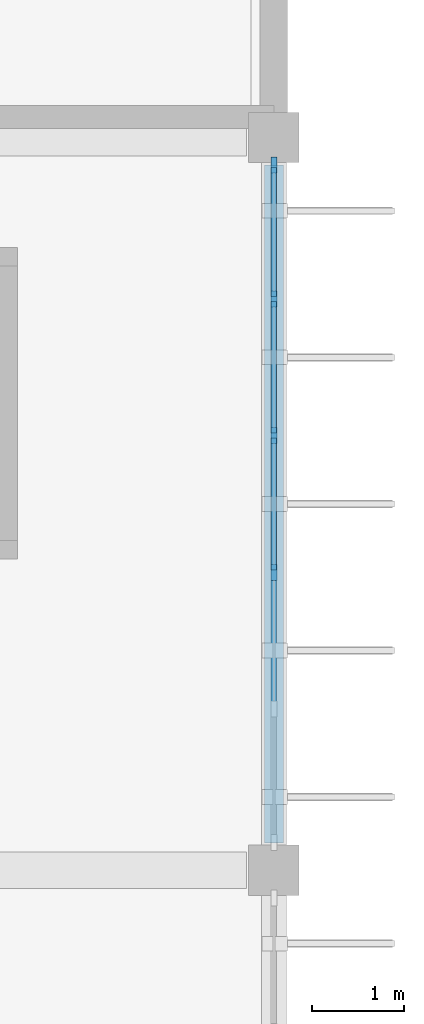
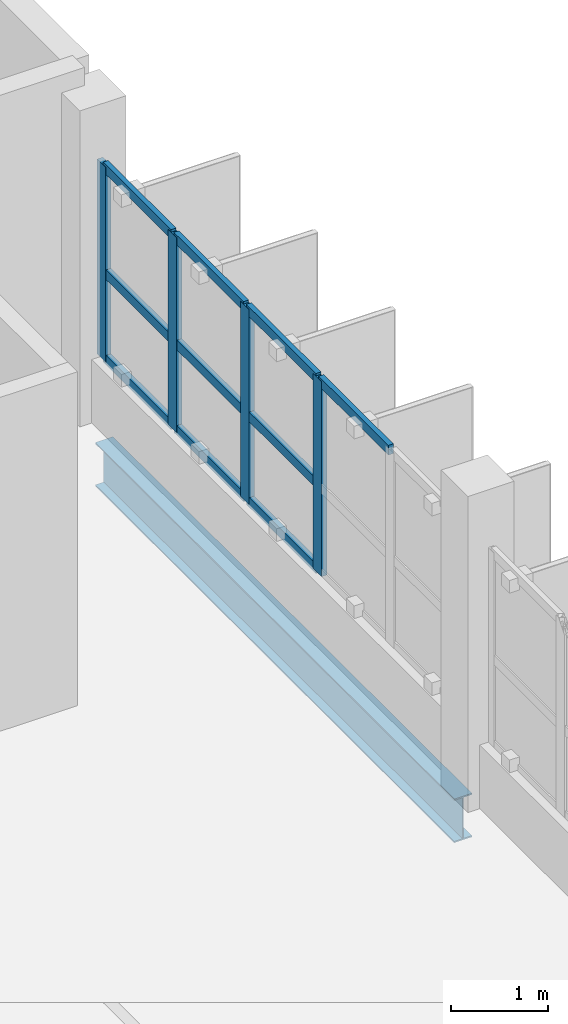
# One storey, part 17 of 38: 14 members, 1 beam, 1 element without a shape of its own.
"""IFC4 building model written with IfcOpenShell, lengths in metres."""

from ifc_helpers import new_model, si_unit, direction, frame, origin, origin_2d, place, context, subcontext, project, spatial, rectangle, i_section, extrude, material, layer, layer_set, material_profile, profile_set, type_object, element, aggregate, save


model = new_model("IFC4")

# Units and contexts
model_context = context("Model", 3, precision=1e-05, world=origin(), true_north=direction((0.0, 1.0)))
body_context = subcontext(model_context, "Body", "Model", "MODEL_VIEW")
ifc_project = project(units=[si_unit("LENGTHUNIT", "METRE"), si_unit("AREAUNIT", "SQUARE_METRE"), si_unit("VOLUMEUNIT", "CUBIC_METRE"), si_unit("PLANEANGLEUNIT", "RADIAN"), si_unit("MASSUNIT", "GRAM", prefix="KILO")], contexts=[model_context])

# Site, building, storey
site_placement = place(None, origin())
site = spatial("IfcSite", under=ifc_project, at=site_placement, CompositionType="ELEMENT")
building_placement = place(site_placement, origin())
building = spatial("IfcBuilding", under=site, at=building_placement, Name="Drelvana Railside Aquatics Centre", CompositionType="ELEMENT")
storey_placement = place(building_placement, frame((0.0, 0.0, 14.39990234375)))
storey = spatial("IfcBuildingStorey", under=building, at=storey_placement, Name="L03", CompositionType="ELEMENT", Elevation=14.39990234375)

# Curtain wall, members
ifc_material_1 = material(Name="Bronze-anodised aluminium curtain wall", Category="aluminium")
ifc_layer = layer(ifc_material_1, 0.175048828125, Name="Bronze-anodised aluminium curtain wall")
ifc_layer_set = layer_set([ifc_layer], Name="Bronze-anodised aluminium curtain wall")
curtain_wall_type = type_object("IfcCurtainWallType", Name="CW-Z6-WING", PredefinedType="NOTDEFINED", material=ifc_layer_set)
curtain_wall_placement = place(storey_placement, origin())
curtain_wall = element("IfcCurtainWall", 1, at=curtain_wall_placement, inside=storey, type_object=curtain_wall_type, Name="Curtain wall CW-06-182", PredefinedType="NOTDEFINED")
ifc_material_2 = material(Name="Bronze-anodised aluminium 6063-T6", Category="aluminium")
ifc_material_profile_1 = material_profile(ifc_material_2, rectangle(XDim=0.06494140625, YDim=0.175048828125, at=origin_2d()), Name="ALU-M 65x175")
ifc_profile_set_1 = profile_set([ifc_material_profile_1], Name="Bronze-anodised aluminium 6063-T6")
member_type_1 = type_object("IfcMemberType", Name="CW-Z6-WING-MUL", PredefinedType="MULLION", material=ifc_profile_set_1)
member_1_placement = place(storey_placement, frame((184.0, 67.25390625, 0.794189453125), z_axis=(0.0, 0.0, 1.0), x_axis=(-1.0, 0.0, 0.0)))
member_1 = element("IfcMember", 2, at=member_1_placement, type_object=member_type_1, Name="CW-06 mullion 3", PredefinedType="MULLION", context=body_context, shape_type="SweptSolid", body=[
    extrude(rectangle(XDim=0.06494140625, YDim=0.175048828125, at=origin_2d()), origin(), (0.0, 0.0, 1.0), 2.455810546875),
])
member_2_placement = place(storey_placement, frame((184.0, 68.74609375, 0.794189453125), z_axis=(0.0, 0.0, 1.0), x_axis=(-1.0, 0.0, 0.0)))
member_2 = element("IfcMember", 3, at=member_2_placement, type_object=member_type_1, Name="CW-06 mullion 4", PredefinedType="MULLION", context=body_context, shape_type="SweptSolid", body=[
    extrude(rectangle(XDim=0.06494140625, YDim=0.175048828125, at=origin_2d()), origin(), (0.0, 0.0, 1.0), 2.455810546875),
])
member_3_placement = place(storey_placement, frame((184.0, 70.238525390625, 0.794189453125), z_axis=(0.0, 0.0, 1.0), x_axis=(-1.0, 0.0, 0.0)))
member_3 = element("IfcMember", 4, at=member_3_placement, type_object=member_type_1, Name="CW-06 mullion 5", PredefinedType="MULLION", context=body_context, shape_type="SweptSolid", body=[
    extrude(rectangle(XDim=0.06494140625, YDim=0.175048828125, at=origin_2d()), origin(), (0.0, 0.0, 1.0), 2.455810546875),
])
member_4_placement = place(storey_placement, frame((184.0, 71.698486328125, 0.794189453125), z_axis=(0.0, 0.0, 1.0), x_axis=(-1.0, 0.0, 0.0)))
member_4 = element("IfcMember", 5, at=member_4_placement, type_object=member_type_1, Name="CW-06 mullion 6", PredefinedType="MULLION", context=body_context, shape_type="SweptSolid", body=[
    extrude(rectangle(XDim=0.06494140625, YDim=0.175048828125, at=origin_2d()), origin(), (0.0, 0.0, 1.0), 2.455810546875),
])
ifc_material_profile_2 = material_profile(ifc_material_2, rectangle(XDim=0.1201171875, YDim=0.06005859375, at=origin_2d()), Name="ALU-T 60x120")
ifc_profile_set_2 = profile_set([ifc_material_profile_2], Name="Bronze-anodised aluminium 6063-T6")
member_type_2 = type_object("IfcMemberType", Name="CW-Z6-WING-TRN", PredefinedType="USERDEFINED", material=ifc_profile_set_2)
member_5_placement = place(storey_placement, frame((184.0, 65.788818359375, 3.22021484375), z_axis=(0.0, 1.0, 0.0), x_axis=(0.0, 0.0, 1.0)))
member_5 = element("IfcMember", 6, at=member_5_placement, type_object=member_type_2, Name="CW-06 transom 2.3", ObjectType="TRANSOM", PredefinedType="USERDEFINED", context=body_context, shape_type="SweptSolid", body=[
    extrude(rectangle(XDim=0.1201171875, YDim=0.06005859375, at=origin_2d()), origin(), (0.0, 0.0, 1.0), 1.4375),
])
member_6_placement = place(storey_placement, frame((184.0, 67.28125, 0.82421875), z_axis=(0.0, 1.0, 0.0), x_axis=(0.0, 0.0, 1.0)))
member_6 = element("IfcMember", 7, at=member_6_placement, type_object=member_type_2, Name="CW-06 transom 3.1", ObjectType="TRANSOM", PredefinedType="USERDEFINED", context=body_context, shape_type="SweptSolid", body=[
    extrude(rectangle(XDim=0.1201171875, YDim=0.06005859375, at=origin_2d()), origin(), (0.0, 0.0, 1.0), 1.4375),
])
member_7_placement = place(storey_placement, frame((184.0, 67.28125, 1.899169921875), z_axis=(0.0, 1.0, 0.0), x_axis=(0.0, 0.0, 1.0)))
member_7 = element("IfcMember", 8, at=member_7_placement, type_object=member_type_2, Name="CW-06 transom 3.2", ObjectType="TRANSOM", PredefinedType="USERDEFINED", context=body_context, shape_type="SweptSolid", body=[
    extrude(rectangle(XDim=0.1201171875, YDim=0.06005859375, at=origin_2d()), origin(), (0.0, 0.0, 1.0), 1.4375),
])
member_8_placement = place(storey_placement, frame((184.0, 67.28125, 3.22021484375), z_axis=(0.0, 1.0, 0.0), x_axis=(0.0, 0.0, 1.0)))
member_8 = element("IfcMember", 9, at=member_8_placement, type_object=member_type_2, Name="CW-06 transom 3.3", ObjectType="TRANSOM", PredefinedType="USERDEFINED", context=body_context, shape_type="SweptSolid", body=[
    extrude(rectangle(XDim=0.1201171875, YDim=0.06005859375, at=origin_2d()), origin(), (0.0, 0.0, 1.0), 1.4375),
])
member_9_placement = place(storey_placement, frame((184.0, 68.773681640625, 0.82421875), z_axis=(0.0, 1.0, 0.0), x_axis=(0.0, 0.0, 1.0)))
member_9 = element("IfcMember", 10, at=member_9_placement, type_object=member_type_2, Name="CW-06 transom 4.1", ObjectType="TRANSOM", PredefinedType="USERDEFINED", context=body_context, shape_type="SweptSolid", body=[
    extrude(rectangle(XDim=0.1201171875, YDim=0.06005859375, at=origin_2d()), origin(), (0.0, 0.0, 1.0), 1.4375),
])
member_10_placement = place(storey_placement, frame((184.0, 68.773681640625, 1.899169921875), z_axis=(0.0, 1.0, 0.0), x_axis=(0.0, 0.0, 1.0)))
member_10 = element("IfcMember", 11, at=member_10_placement, type_object=member_type_2, Name="CW-06 transom 4.2", ObjectType="TRANSOM", PredefinedType="USERDEFINED", context=body_context, shape_type="SweptSolid", body=[
    extrude(rectangle(XDim=0.1201171875, YDim=0.06005859375, at=origin_2d()), origin(), (0.0, 0.0, 1.0), 1.4375),
])
member_11_placement = place(storey_placement, frame((184.0, 68.773681640625, 3.22021484375), z_axis=(0.0, 1.0, 0.0), x_axis=(0.0, 0.0, 1.0)))
member_11 = element("IfcMember", 12, at=member_11_placement, type_object=member_type_2, Name="CW-06 transom 4.3", ObjectType="TRANSOM", PredefinedType="USERDEFINED", context=body_context, shape_type="SweptSolid", body=[
    extrude(rectangle(XDim=0.1201171875, YDim=0.06005859375, at=origin_2d()), origin(), (0.0, 0.0, 1.0), 1.4375),
])
member_12_placement = place(storey_placement, frame((184.0, 70.26611328125, 0.82421875), z_axis=(0.0, 1.0, 0.0), x_axis=(0.0, 0.0, 1.0)))
member_12 = element("IfcMember", 13, at=member_12_placement, type_object=member_type_2, Name="CW-06 transom 5.1", ObjectType="TRANSOM", PredefinedType="USERDEFINED", context=body_context, shape_type="SweptSolid", body=[
    extrude(rectangle(XDim=0.1201171875, YDim=0.06005859375, at=origin_2d()), origin(), (0.0, 0.0, 1.0), 1.40478515625),
])
member_13_placement = place(storey_placement, frame((184.0, 70.26611328125, 1.899169921875), z_axis=(0.0, 1.0, 0.0), x_axis=(0.0, 0.0, 1.0)))
member_13 = element("IfcMember", 14, at=member_13_placement, type_object=member_type_2, Name="CW-06 transom 5.2", ObjectType="TRANSOM", PredefinedType="USERDEFINED", context=body_context, shape_type="SweptSolid", body=[
    extrude(rectangle(XDim=0.1201171875, YDim=0.06005859375, at=origin_2d()), origin(), (0.0, 0.0, 1.0), 1.40478515625),
])
member_14_placement = place(storey_placement, frame((184.0, 70.26611328125, 3.22021484375), z_axis=(0.0, 1.0, 0.0), x_axis=(0.0, 0.0, 1.0)))
member_14 = element("IfcMember", 15, at=member_14_placement, type_object=member_type_2, Name="CW-06 transom 5.3", ObjectType="TRANSOM", PredefinedType="USERDEFINED", context=body_context, shape_type="SweptSolid", body=[
    extrude(rectangle(XDim=0.1201171875, YDim=0.06005859375, at=origin_2d()), origin(), (0.0, 0.0, 1.0), 1.40478515625),
])
aggregate(curtain_wall, [member_1, member_2, member_3, member_4, member_5, member_6, member_7, member_8, member_9, member_10, member_11, member_12, member_13, member_14])

# Beam
ifc_material_3 = material(Name="Structural steel S355", Category="steel")
ifc_material_profile_3 = material_profile(ifc_material_3, i_section(OverallWidth=0.2099609375, OverallDepth=0.550048828125, WebThickness=0.010986328125, FlangeThickness=0.01708984375, at=origin_2d()), Name="IPE 550")
ifc_profile_set_3 = profile_set([ifc_material_profile_3], Name="Structural steel S355")
beam_type = type_object("IfcBeamType", Name="STR-SBM-SB-04-IPE-550", PredefinedType="SPANDREL", material=ifc_profile_set_3)
beam_placement = place(storey_placement, frame((184.0, 64.300048828125, -0.514892578125), z_axis=(0.0, 1.0, 0.0), x_axis=(-1.0, 0.0, 0.0)))
element("IfcBeam", 16, at=beam_placement, inside=storey, type_object=beam_type, Name="Girder SB-04 (L03)", PredefinedType="SPANDREL", context=body_context, shape_type="SweptSolid", body=[
    extrude(i_section(OverallWidth=0.2099609375, OverallDepth=0.550048828125, WebThickness=0.010986328125, FlangeThickness=0.01708984375, at=origin_2d()), origin(), (0.0, 0.0, 1.0), 7.39990234375),
])

save(model, "model.ifc")
